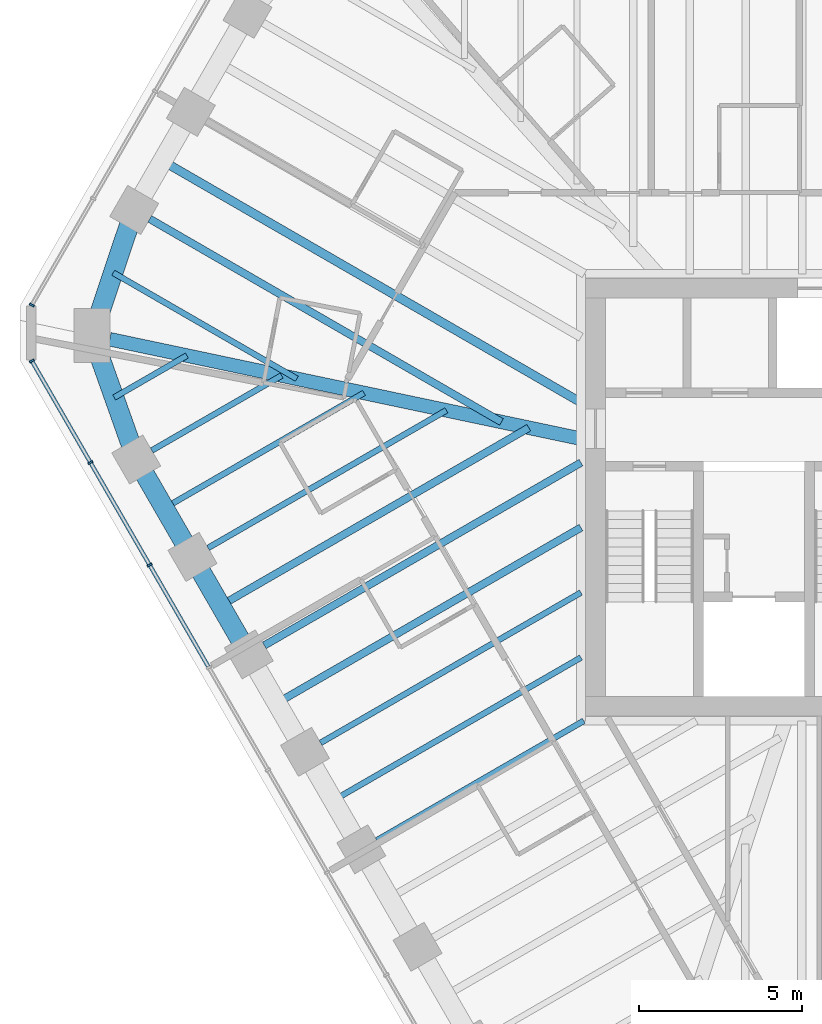
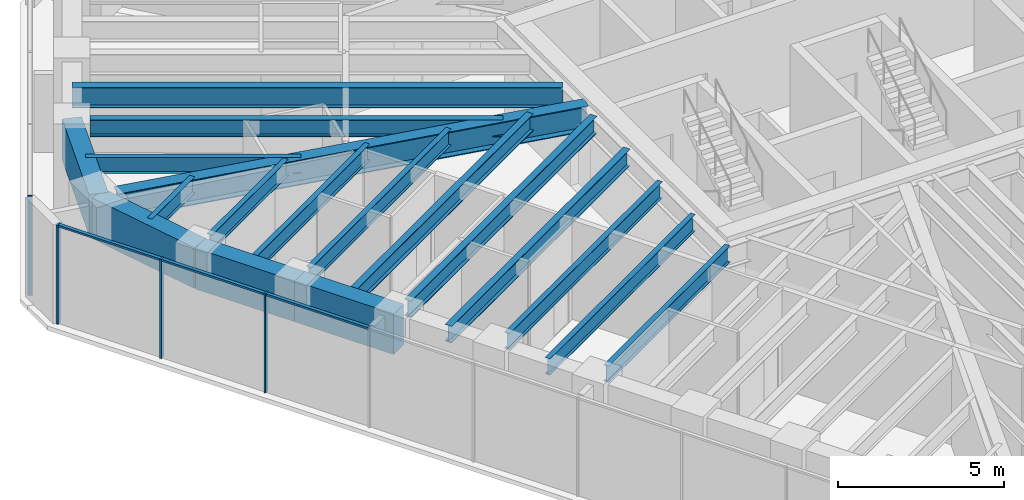
# One storey, part 3 of 14: 18 beams, 7 members, 2 elements without a shape of their own.
"""IFC4 building model written with IfcOpenShell, lengths in metres."""

from ifc_helpers import new_model, si_unit, direction, frame, origin, origin_2d, place, context, subcontext, project, spatial, rectangle, i_section, extrude, material, material_profile, profile_set, type_object, element, aggregate, save


model = new_model("IFC4")

# Units and contexts
model_context = context("Model", 3, precision=1e-05, world=origin(), true_north=direction((0.0, 1.0)))
body_context = subcontext(model_context, "Body", "Model", "MODEL_VIEW")
ifc_project = project(units=[si_unit("LENGTHUNIT", "METRE"), si_unit("AREAUNIT", "SQUARE_METRE"), si_unit("VOLUMEUNIT", "CUBIC_METRE"), si_unit("PLANEANGLEUNIT", "RADIAN"), si_unit("MASSUNIT", "GRAM", prefix="KILO")], contexts=[model_context])

# Site, building, storey
site_placement = place(None, origin())
site = spatial("IfcSite", under=ifc_project, at=site_placement, CompositionType="ELEMENT")
building_placement = place(site_placement, origin())
building = spatial("IfcBuilding", under=site, at=building_placement, Name="Sandreach Pilgrim Tower", CompositionType="ELEMENT")
storey_placement = place(building_placement, frame((0.0, 0.0, 283.60009765625)))
storey = spatial("IfcBuildingStorey", under=building, at=storey_placement, Name="L71", CompositionType="ELEMENT", Elevation=283.60009765625)

# Curtain wall, members
ifc_material_1 = material(Name="Aluminium framed curtain wall", Category="aluminium")
curtain_wall_type = type_object("IfcCurtainWallType", Name="Suite tower curtain wall", PredefinedType="NOTDEFINED", material=ifc_material_1)
curtain_wall_1_placement = place(storey_placement, origin())
curtain_wall_1 = element("IfcCurtainWall", 1, at=curtain_wall_1_placement, inside=storey, type_object=curtain_wall_type, Name="CW-4 L71 SW", PredefinedType="NOTDEFINED")
ifc_material_2 = material(Name="Aluminium extrusion", Category="aluminium")
ifc_material_profile_1 = material_profile(ifc_material_2, rectangle(XDim=0.06005859375, YDim=0.159912109375, at=origin_2d()), Name="CW-4M 60X160")
ifc_profile_set_1 = profile_set([ifc_material_profile_1], Name="Aluminium extrusion")
member_type_1 = type_object("IfcMemberType", Name="CW-4 mullion", PredefinedType="MULLION", material=ifc_profile_set_1)
member_1_placement = place(storey_placement, frame((-21.697509765625, -2.071533203125, 0.0), z_axis=(0.0, 0.0, 1.0), x_axis=(-0.5, 0.866025403784, 0.0)))
member_1 = element("IfcMember", 2, at=member_1_placement, type_object=member_type_1, Name="CW-4 mullion 8", PredefinedType="MULLION", context=body_context, shape_type="SweptSolid", body=[
    extrude(rectangle(XDim=0.06005859375, YDim=0.159912109375, at=origin_2d()), origin(), (0.0, 0.0, 1.0), 3.639892578125),
])
member_2_placement = place(storey_placement, frame((-23.508544921875, 1.06494140625, 0.0), z_axis=(0.0, 0.0, 1.0), x_axis=(-0.5, 0.866025403784, 0.0)))
member_2 = element("IfcMember", 3, at=member_2_placement, type_object=member_type_1, Name="CW-4 mullion 9", PredefinedType="MULLION", context=body_context, shape_type="SweptSolid", body=[
    extrude(rectangle(XDim=0.06005859375, YDim=0.159912109375, at=origin_2d()), origin(), (0.0, 0.0, 1.0), 3.639892578125),
])
member_3_placement = place(storey_placement, frame((-25.304443359375, 4.175537109375, 0.0), z_axis=(0.0, 0.0, 1.0), x_axis=(-0.5, 0.866025403784, 0.0)))
member_3 = element("IfcMember", 4, at=member_3_placement, type_object=member_type_1, Name="CW-4 mullion 10", PredefinedType="MULLION", context=body_context, shape_type="SweptSolid", body=[
    extrude(rectangle(XDim=0.06005859375, YDim=0.159912109375, at=origin_2d()), origin(), (0.0, 0.0, 1.0), 3.639892578125),
])

# Curtain wall, member
curtain_wall_2_placement = place(storey_placement, origin())
curtain_wall_2 = element("IfcCurtainWall", 5, at=curtain_wall_2_placement, inside=storey, type_object=curtain_wall_type, Name="CW-4 L71 NW", PredefinedType="NOTDEFINED")
member_4_placement = place(storey_placement, frame((-25.304443359375, 5.8876953125, 0.0), z_axis=(0.0, 0.0, 1.0), x_axis=(0.5, 0.866025403784, 0.0)))
member_4 = element("IfcMember", 6, at=member_4_placement, type_object=member_type_1, Name="CW-4 mullion 1", PredefinedType="MULLION", context=body_context, shape_type="SweptSolid", body=[
    extrude(rectangle(XDim=0.06005859375, YDim=0.159912109375, at=origin_2d()), origin(), (0.0, 0.0, 1.0), 3.639892578125),
])
aggregate(curtain_wall_2, [member_4])

# Member
ifc_material_3 = material(Name="Aluminium extrusion", Category="aluminium")
ifc_material_profile_2 = material_profile(ifc_material_3, rectangle(XDim=0.1201171875, YDim=0.070068359375, at=origin_2d()), Name="CW-4T 120X70")
ifc_profile_set_2 = profile_set([ifc_material_profile_2], Name="Aluminium extrusion")
member_type_2 = type_object("IfcMemberType", Name="CW-4 transom", PredefinedType="USERDEFINED", material=ifc_profile_set_2)
member_5_placement = place(storey_placement, frame((-19.901611328125, -5.182373046875, 3.60498046875), z_axis=(-0.500009219579, 0.866020080793, 0.0), x_axis=(-0.866020080793, -0.500009219579, 0.0)))
member_5 = element("IfcMember", 7, at=member_5_placement, type_object=member_type_2, Name="CW-4 head transom 7", ObjectType="TRANSOM", PredefinedType="USERDEFINED", context=body_context, shape_type="SweptSolid", body=[
    extrude(rectangle(XDim=0.1201171875, YDim=0.070068359375, at=origin_2d()), origin(), (0.0, 0.0, 1.0), 3.56201171875),
])

member_6_placement = place(storey_placement, frame((-21.71240234375, -2.045654296875, 3.60498046875), z_axis=(-0.500009219579, 0.866020080793, 0.0), x_axis=(-0.866020080793, -0.500009219579, 0.0)))
member_6 = element("IfcMember", 8, at=member_6_placement, type_object=member_type_2, Name="CW-4 head transom 8", ObjectType="TRANSOM", PredefinedType="USERDEFINED", context=body_context, shape_type="SweptSolid", body=[
    extrude(rectangle(XDim=0.1201171875, YDim=0.070068359375, at=origin_2d()), origin(), (0.0, 0.0, 1.0), 3.56201171875),
])

member_7_placement = place(storey_placement, frame((-23.5234375, 1.091064453125, 3.60498046875), z_axis=(-0.499997709859, 0.866026725994, 0.0), x_axis=(-0.866026725994, -0.499997709859, 0.0)))
member_7 = element("IfcMember", 9, at=member_7_placement, type_object=member_type_2, Name="CW-4 head transom 9", ObjectType="TRANSOM", PredefinedType="USERDEFINED", context=body_context, shape_type="SweptSolid", body=[
    extrude(rectangle(XDim=0.1201171875, YDim=0.070068359375, at=origin_2d()), origin(), (0.0, 0.0, 1.0), 3.53173828125),
])

aggregate(curtain_wall_1, [member_1, member_2, member_3, member_5, member_6, member_7])

# Beams
ifc_material_4 = material(Name="Steel ASTM A992 Grade 50", Category="steel")
ifc_material_profile_3 = material_profile(ifc_material_4, i_section(OverallWidth=0.419189453125, OverallDepth=0.927001953125, WebThickness=0.019287109375, FlangeThickness=0.031982421875, at=origin_2d()), Name="W36X231")
ifc_profile_set_3 = profile_set([ifc_material_profile_3], Name="Steel ASTM A992 Grade 50")
beam_type_1 = type_object("IfcBeamType", Name="Corner girder W36X231", PredefinedType="BEAM", material=ifc_profile_set_3)
beam_1_placement = place(storey_placement, frame((-22.917724609375, 4.838623046875, 3.17626953125), z_axis=(0.978430270369, -0.206577360876, 0.0), x_axis=(0.206577360876, 0.978430270369, 0.0)))
element("IfcBeam", 10, at=beam_1_placement, inside=storey, type_object=beam_type_1, Name="BM L71 CG35", PredefinedType="BEAM", context=body_context, shape_type="SweptSolid", body=[
    extrude(i_section(OverallWidth=0.419189453125, OverallDepth=0.927001953125, WebThickness=0.019287109375, FlangeThickness=0.031982421875, at=origin_2d()), origin(), (0.0, 0.0, 1.0), 14.888671875),
])
ifc_material_5 = material(Name="Steel ASTM A992 Grade 50", Category="steel")
ifc_material_profile_4 = material_profile(ifc_material_5, i_section(OverallWidth=0.1787109375, OverallDepth=0.60205078125, WebThickness=0.010986328125, FlangeThickness=0.014892578125, at=origin_2d()), Name="W24X62")
ifc_profile_set_4 = profile_set([ifc_material_profile_4], Name="Steel ASTM A992 Grade 50")
beam_type_2 = type_object("IfcBeamType", Name="Floor beam W24X62", PredefinedType="BEAM", material=ifc_profile_set_4)
beam_2_placement = place(storey_placement, frame((-14.741455078125, -10.5, 3.3388671875), z_axis=(0.866019920622, 0.500009496996, 0.0), x_axis=(-0.500009496996, 0.866019920622, 0.0)))
element("IfcBeam", 11, at=beam_2_placement, inside=storey, type_object=beam_type_2, Name="BM L71 F30", PredefinedType="BEAM", context=body_context, shape_type="SweptSolid", body=[
    extrude(i_section(OverallWidth=0.1787109375, OverallDepth=0.60205078125, WebThickness=0.010986328125, FlangeThickness=0.014892578125, at=origin_2d()), origin(), (0.0, 0.0, 1.0), 7.313232421875),
])
beam_3_placement = place(storey_placement, frame((-16.4638671875, -7.516357421875, 3.3388671875), z_axis=(0.866022580836, 0.500004889459, 0.0), x_axis=(-0.500004889459, 0.866022580836, 0.0)))
element("IfcBeam", 12, at=beam_3_placement, inside=storey, type_object=beam_type_2, Name="BM L71 F31", PredefinedType="BEAM", context=body_context, shape_type="SweptSolid", body=[
    extrude(i_section(OverallWidth=0.1787109375, OverallDepth=0.60205078125, WebThickness=0.010986328125, FlangeThickness=0.014892578125, at=origin_2d()), origin(), (0.0, 0.0, 1.0), 9.20361328125),
])
beam_4_placement = place(storey_placement, frame((-19.908935546875, -1.549560546875, 3.3388671875), z_axis=(0.866026819143, 0.499997548519, 0.0), x_axis=(-0.499997548519, 0.866026819143, 0.0)))
element("IfcBeam", 13, at=beam_4_placement, inside=storey, type_object=beam_type_2, Name="BM L71 F33", PredefinedType="BEAM", context=body_context, shape_type="SweptSolid", body=[
    extrude(i_section(OverallWidth=0.1787109375, OverallDepth=0.60205078125, WebThickness=0.010986328125, FlangeThickness=0.014892578125, at=origin_2d()), origin(), (0.0, 0.0, 1.0), 8.4248046875),
])
beam_5_placement = place(storey_placement, frame((-21.631591796875, 1.433837890625, 3.3388671875), z_axis=(0.866037621819, 0.499978837146, 0.0), x_axis=(-0.499978837146, 0.866037621819, 0.0)))
element("IfcBeam", 14, at=beam_5_placement, inside=storey, type_object=beam_type_2, Name="BM L71 F34", PredefinedType="BEAM", context=body_context, shape_type="SweptSolid", body=[
    extrude(i_section(OverallWidth=0.1787109375, OverallDepth=0.60205078125, WebThickness=0.010986328125, FlangeThickness=0.014892578125, at=origin_2d()), origin(), (0.0, 0.0, 1.0), 4.588623046875),
])
beam_6_placement = place(storey_placement, frame((-16.0791015625, -9.283203125, 3.3388671875), z_axis=(0.866023595995, 0.500003131169, 0.0), x_axis=(-0.500003131169, 0.866023595995, 0.0)))
element("IfcBeam", 15, at=beam_6_placement, inside=storey, type_object=beam_type_2, Name="BM L71 FM30", PredefinedType="BEAM", context=body_context, shape_type="SweptSolid", body=[
    extrude(i_section(OverallWidth=0.1787109375, OverallDepth=0.60205078125, WebThickness=0.010986328125, FlangeThickness=0.014892578125, at=origin_2d()), origin(), (0.0, 0.0, 1.0), 8.75927734375),
])
beam_7_placement = place(storey_placement, frame((-21.24658203125, -0.332763671875, 3.3388671875), z_axis=(0.866028878405, 0.499993981732, 0.0), x_axis=(-0.499993981732, 0.866028878405, 0.0)))
element("IfcBeam", 16, at=beam_7_placement, inside=storey, type_object=beam_type_2, Name="BM L71 FM33", PredefinedType="BEAM", context=body_context, shape_type="SweptSolid", body=[
    extrude(i_section(OverallWidth=0.1787109375, OverallDepth=0.60205078125, WebThickness=0.010986328125, FlangeThickness=0.014892578125, at=origin_2d()), origin(), (0.0, 0.0, 1.0), 7.056640625),
])
beam_8_placement = place(storey_placement, frame((-22.78173828125, 3.0556640625, 3.3388671875), z_axis=(0.8660004255, 0.500043261163, 0.0), x_axis=(-0.500043261163, 0.8660004255, 0.0)))
element("IfcBeam", 17, at=beam_8_placement, inside=storey, type_object=beam_type_2, Name="BM L71 FM34", PredefinedType="BEAM", context=body_context, shape_type="SweptSolid", body=[
    extrude(i_section(OverallWidth=0.1787109375, OverallDepth=0.60205078125, WebThickness=0.010986328125, FlangeThickness=0.014892578125, at=origin_2d()), origin(), (0.0, 0.0, 1.0), 2.569091796875),
])
beam_9_placement = place(storey_placement, frame((-22.8125, 6.875, 3.3388671875), z_axis=(0.866023980233, -0.500002465655, 0.0), x_axis=(0.500002465655, 0.866023980233, 0.0)))
element("IfcBeam", 18, at=beam_9_placement, inside=storey, type_object=beam_type_2, Name="BM L71 FM35", PredefinedType="BEAM", context=body_context, shape_type="SweptSolid", body=[
    extrude(i_section(OverallWidth=0.1787109375, OverallDepth=0.60205078125, WebThickness=0.010986328125, FlangeThickness=0.014892578125, at=origin_2d()), origin(), (0.0, 0.0, 1.0), 6.49072265625),
])
ifc_material_6 = material(Name="Steel ASTM A992 Grade 50", Category="steel")
ifc_material_profile_5 = material_profile(ifc_material_6, i_section(OverallWidth=0.23046875, OverallDepth=0.6171875, WebThickness=0.01318359375, FlangeThickness=0.022216796875, at=origin_2d()), Name="W24X94")
ifc_profile_set_5 = profile_set([ifc_material_profile_5], Name="Steel ASTM A992 Grade 50")
beam_type_3 = type_object("IfcBeamType", Name="Floor beam W24X94", PredefinedType="BEAM", material=ifc_profile_set_5)
beam_10_placement = place(storey_placement, frame((-18.1865234375, -4.532958984375, 3.331298828125), z_axis=(0.866030482771, 0.499991202833, 0.0), x_axis=(-0.499991202833, 0.866030482771, 0.0)))
element("IfcBeam", 19, at=beam_10_placement, inside=storey, type_object=beam_type_3, Name="BM L71 F32", PredefinedType="BEAM", context=body_context, shape_type="SweptSolid", body=[
    extrude(i_section(OverallWidth=0.23046875, OverallDepth=0.6171875, WebThickness=0.01318359375, FlangeThickness=0.022216796875, at=origin_2d()), origin(), (0.0, 0.0, 1.0), 11.192626953125),
])
beam_11_placement = place(storey_placement, frame((-21.69287109375, 8.522705078125, 3.331298828125), z_axis=(0.866028931402, -0.499993889937, 0.0), x_axis=(0.499993889937, 0.866028931402, 0.0)))
element("IfcBeam", 20, at=beam_11_placement, inside=storey, type_object=beam_type_3, Name="BM L71 F36", PredefinedType="BEAM", context=body_context, shape_type="SweptSolid", body=[
    extrude(i_section(OverallWidth=0.23046875, OverallDepth=0.6171875, WebThickness=0.01318359375, FlangeThickness=0.022216796875, at=origin_2d()), origin(), (0.0, 0.0, 1.0), 12.431396484375),
])
beam_12_placement = place(storey_placement, frame((-17.801513671875, -6.2998046875, 3.331298828125), z_axis=(0.866025958161, 0.49999903979, 0.0), x_axis=(-0.49999903979, 0.866025958161, 0.0)))
element("IfcBeam", 21, at=beam_12_placement, inside=storey, type_object=beam_type_3, Name="BM L71 FM31", PredefinedType="BEAM", context=body_context, shape_type="SweptSolid", body=[
    extrude(i_section(OverallWidth=0.23046875, OverallDepth=0.6171875, WebThickness=0.01318359375, FlangeThickness=0.022216796875, at=origin_2d()), origin(), (0.0, 0.0, 1.0), 10.748046875),
])
beam_13_placement = place(storey_placement, frame((-19.52392578125, -3.316162109375, 3.331298828125), z_axis=(0.866029205616, 0.499993414976, 0.0), x_axis=(-0.499993414976, 0.866029205616, 0.0)))
element("IfcBeam", 22, at=beam_13_placement, inside=storey, type_object=beam_type_3, Name="BM L71 FM32", PredefinedType="BEAM", context=body_context, shape_type="SweptSolid", body=[
    extrude(i_section(OverallWidth=0.23046875, OverallDepth=0.6171875, WebThickness=0.01318359375, FlangeThickness=0.022216796875, at=origin_2d()), origin(), (0.0, 0.0, 1.0), 10.893310546875),
])
ifc_material_7 = material(Name="Steel ASTM A992 Grade 50", Category="steel")
ifc_material_profile_6 = material_profile(ifc_material_7, i_section(OverallWidth=0.2666015625, OverallDepth=0.761962890625, WebThickness=0.014404296875, FlangeThickness=0.021484375, at=origin_2d()), Name="W30X116")
ifc_profile_set_6 = profile_set([ifc_material_profile_6], Name="Steel ASTM A992 Grade 50")
beam_type_4 = type_object("IfcBeamType", Name="Floor beam W30X116", PredefinedType="BEAM", material=ifc_profile_set_6)
beam_14_placement = place(storey_placement, frame((-21.302978515625, 10.29833984375, 3.2587890625), z_axis=(0.866028362181, -0.499994875871, 0.0), x_axis=(0.499994875871, 0.866028362181, 0.0)))
element("IfcBeam", 23, at=beam_14_placement, inside=storey, type_object=beam_type_4, Name="BM L71 FM36", PredefinedType="BEAM", context=body_context, shape_type="SweptSolid", body=[
    extrude(i_section(OverallWidth=0.2666015625, OverallDepth=0.761962890625, WebThickness=0.014404296875, FlangeThickness=0.021484375, at=origin_2d()), origin(), (0.0, 0.0, 1.0), 14.791259765625),
])
ifc_material_8 = material(Name="Concrete 10000 psi", Category="concrete")
ifc_material_profile_7 = material_profile(ifc_material_8, rectangle(XDim=0.60009765625, YDim=1.5, at=origin_2d()), Name="RC600X1500")
ifc_profile_set_7 = profile_set([ifc_material_profile_7], Name="Concrete 10000 psi")
beam_type_5 = type_object("IfcBeamType", Name="Spandrel beam RC600X1500", PredefinedType="SPANDREL", material=ifc_profile_set_7)
for number, where, z_axis, x_axis, name in (
    (24, (-18.662841796875, -4.80810546875, 2.889892578125), (-0.499957605418, 0.866049878924, 0.0), (-0.866049878924, -0.499957605418, 0.0), "BM L71 SP32"),
    (25, (-20.38525390625, -1.824462890625, 2.889892578125), (-0.500041441558, 0.866001476168, 0.0), (-0.866001476168, -0.500041441558, 0.0), "BM L71 SP33"),
):
    element("IfcBeam", number, at=place(storey_placement, frame(where, z_axis=z_axis, x_axis=x_axis)), inside=storey, type_object=beam_type_5, Name=name, PredefinedType="SPANDREL", context=body_context, shape_type="SweptSolid", body=[
        extrude(rectangle(XDim=0.60009765625, YDim=1.5, at=origin_2d()), origin(), (0.0, 0.0, 1.0), 3.445068359375),
    ])
beam_15_placement = place(storey_placement, frame((-22.10791015625, 1.158935546875, 2.889892578125), z_axis=(-0.33481464839, 0.94228400773, 0.0), x_axis=(-0.94228400773, -0.33481464839, 0.0)))
element("IfcBeam", 26, at=beam_15_placement, inside=storey, type_object=beam_type_5, Name="BM L71 SP34", PredefinedType="SPANDREL", context=body_context, shape_type="SweptSolid", body=[
    extrude(rectangle(XDim=0.60009765625, YDim=1.5, at=origin_2d()), origin(), (0.0, 0.0, 1.0), 4.02587890625),
])
beam_16_placement = place(storey_placement, frame((-23.455810546875, 4.952392578125, 2.889892578125), z_axis=(0.317293238289, 0.948327475578, 0.0), x_axis=(-0.948327475578, 0.317293238289, 0.0)))
element("IfcBeam", 27, at=beam_16_placement, inside=storey, type_object=beam_type_5, Name="BM L71 SP35", PredefinedType="SPANDREL", context=body_context, shape_type="SweptSolid", body=[
    extrude(rectangle(XDim=0.60009765625, YDim=1.5, at=origin_2d()), origin(), (0.0, 0.0, 1.0), 4.054931640625),
])

save(model, "model.ifc")
